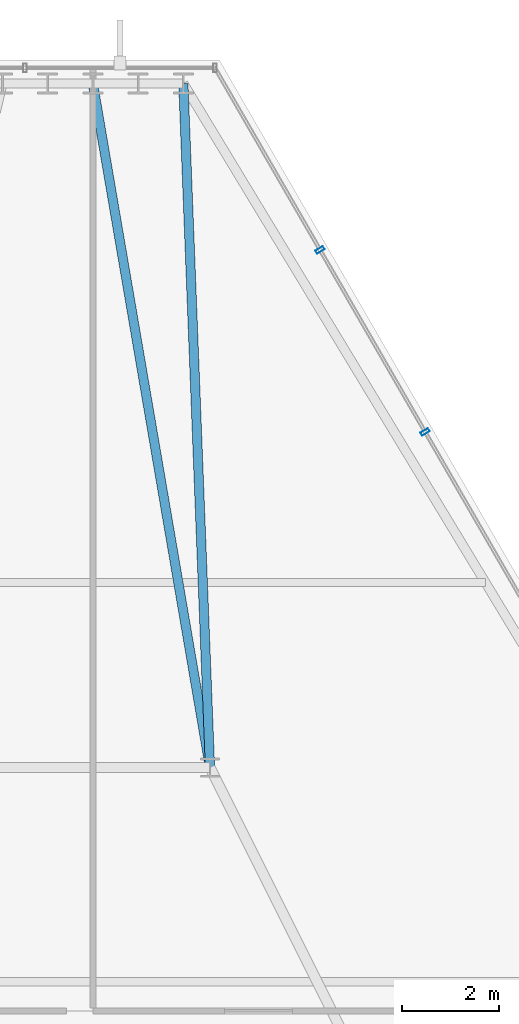
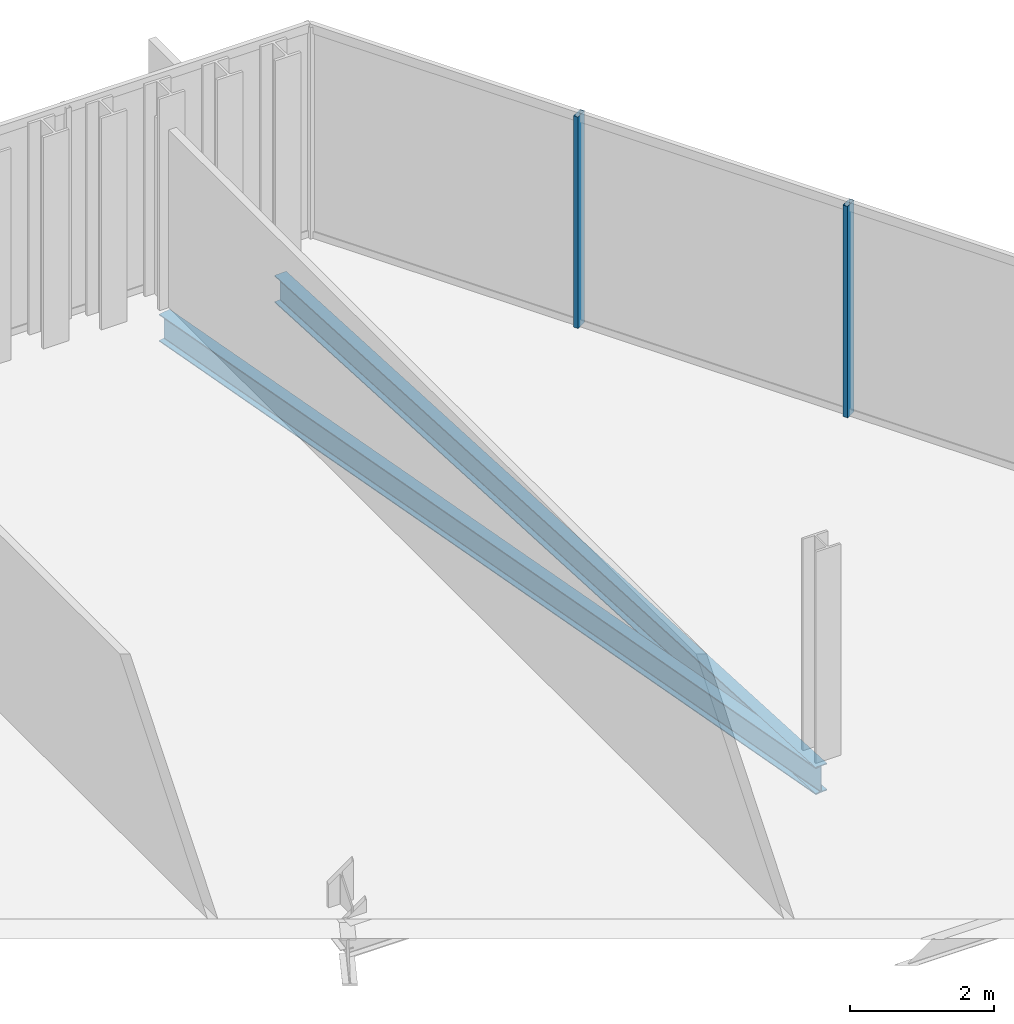
# One storey, part 21 of 30: 2 beams, 2 members, 1 element without a shape of its own.
"""IFC4 building model written with IfcOpenShell, lengths in metres."""

from ifc_helpers import new_model, si_unit, direction, frame, origin, origin_2d, place, context, subcontext, project, spatial, hollow_rectangle, i_section, extrude, material, layer, layer_set, material_profile, profile_set, type_object, element, aggregate, save


model = new_model("IFC4")

# Units and contexts
model_context = context("Model", 3, precision=1e-05, world=origin(), true_north=direction((0.0, 1.0)))
body_context = subcontext(model_context, "Body", "Model", "MODEL_VIEW")
ifc_project = project(units=[si_unit("LENGTHUNIT", "METRE"), si_unit("AREAUNIT", "SQUARE_METRE"), si_unit("VOLUMEUNIT", "CUBIC_METRE"), si_unit("PLANEANGLEUNIT", "RADIAN"), si_unit("MASSUNIT", "GRAM", prefix="KILO")], contexts=[model_context])

# Site, building, storey
site_placement = place(None, origin())
site = spatial("IfcSite", under=ifc_project, at=site_placement, CompositionType="ELEMENT")
building_placement = place(site_placement, origin())
building = spatial("IfcBuilding", under=site, at=building_placement, Name="Ndaravel Arena Tower", CompositionType="ELEMENT")
storey_placement = place(building_placement, frame((0.0, 0.0, 221.800048828125)))
storey = spatial("IfcBuildingStorey", under=building, at=storey_placement, Name="L53", CompositionType="ELEMENT", Elevation=221.800048828125)

# Beams
ifc_material_1 = material(Name="Steel S355", Category="steel")
ifc_material_profile_1 = material_profile(ifc_material_1, i_section(OverallWidth=0.19140625, OverallDepth=0.4599609375, WebThickness=0.010009765625, FlangeThickness=0.01611328125, FilletRadius=0.01025390625, at=origin_2d()), Name="UB 457x191x82")
ifc_profile_set_1 = profile_set([ifc_material_profile_1], Name="Steel S355")
beam_type = type_object("IfcBeamType", Name="BM-GIRD-UB457", PredefinedType="BEAM", material=ifc_profile_set_1)
beam_1_placement = place(storey_placement, frame((45.25244140625, 45.2578125, -0.449951171875), z_axis=(0.038924300896, -0.999242162241, 0.0), x_axis=(0.999242162241, 0.038924300896, 0.0)))
element("IfcBeam", 1, at=beam_1_placement, inside=storey, type_object=beam_type, Name="L53 Radial Floor Girder FG-11", PredefinedType="BEAM", context=body_context, shape_type="SweptSolid", body=[
    extrude(i_section(OverallWidth=0.19140625, OverallDepth=0.4599609375, WebThickness=0.010009765625, FlangeThickness=0.01611328125, FilletRadius=0.01025390625, at=origin_2d()), origin(), (0.0, 0.0, 1.0), 14.068603515625),
])
beam_2_placement = place(storey_placement, frame((43.393798828125, 45.2578125, -0.449951171875), z_axis=(0.16871389667, -0.98566506536, 0.0), x_axis=(0.98566506536, 0.16871389667, 0.0)))
element("IfcBeam", 2, at=beam_2_placement, inside=storey, type_object=beam_type, Name="L53 Radial Floor Girder FG-13", PredefinedType="BEAM", context=body_context, shape_type="SweptSolid", body=[
    extrude(i_section(OverallWidth=0.19140625, OverallDepth=0.4599609375, WebThickness=0.010009765625, FlangeThickness=0.01611328125, FilletRadius=0.01025390625, at=origin_2d()), origin(), (0.0, 0.0, 1.0), 14.26220703125),
])

# Curtain wall, members
ifc_material_2 = material(Name="Aluminium", Category="aluminium")
ifc_layer = layer(ifc_material_2, 0.179931640625)
ifc_layer_set = layer_set([ifc_layer], Name="Aluminium")
curtain_wall_type = type_object("IfcCurtainWallType", Name="CW-SYS-03", PredefinedType="NOTDEFINED", material=ifc_layer_set)
curtain_wall_placement = place(storey_placement, origin())
curtain_wall = element("IfcCurtainWall", 3, at=curtain_wall_placement, inside=storey, type_object=curtain_wall_type, Name="L53 Faceted Crystal Curtain Wall CW-L53-E03", PredefinedType="NOTDEFINED")
ifc_material_3 = material(Name="Aluminium", Category="aluminium")
ifc_material_profile_2 = material_profile(ifc_material_3, hollow_rectangle(XDim=0.074951171875, YDim=0.179931640625, WallThickness=0.00390625, at=origin_2d()), Name="CW MULLION 75x180x4")
ifc_profile_set_2 = profile_set([ifc_material_profile_2], Name="Aluminium")
member_type = type_object("IfcMemberType", Name="MEM-CW-MUL180", PredefinedType="MULLION", material=ifc_profile_set_2)
member_1_placement = place(storey_placement, frame((50.22021484375, 38.097900390625, 0.0), z_axis=(0.0, 0.0, 1.0), x_axis=(-0.5, 0.866025403784, 0.0)))
member_1 = element("IfcMember", 4, at=member_1_placement, type_object=member_type, Name="CW-L53-E03 Mullion 07", PredefinedType="MULLION", context=body_context, shape_type="SweptSolid", body=[
    extrude(hollow_rectangle(XDim=0.074951171875, YDim=0.179931640625, WallThickness=0.00390625, at=origin_2d()), origin(), (0.0, 0.0, 1.0), 3.579833984375),
])
member_2_placement = place(storey_placement, frame((48.06103515625, 41.837890625, 0.0), z_axis=(0.0, 0.0, 1.0), x_axis=(-0.5, 0.866025403784, 0.0)))
member_2 = element("IfcMember", 5, at=member_2_placement, type_object=member_type, Name="CW-L53-E03 Mullion 08", PredefinedType="MULLION", context=body_context, shape_type="SweptSolid", body=[
    extrude(hollow_rectangle(XDim=0.074951171875, YDim=0.179931640625, WallThickness=0.00390625, at=origin_2d()), origin(), (0.0, 0.0, 1.0), 3.579833984375),
])
aggregate(curtain_wall, [member_1, member_2])

save(model, "model.ifc")
